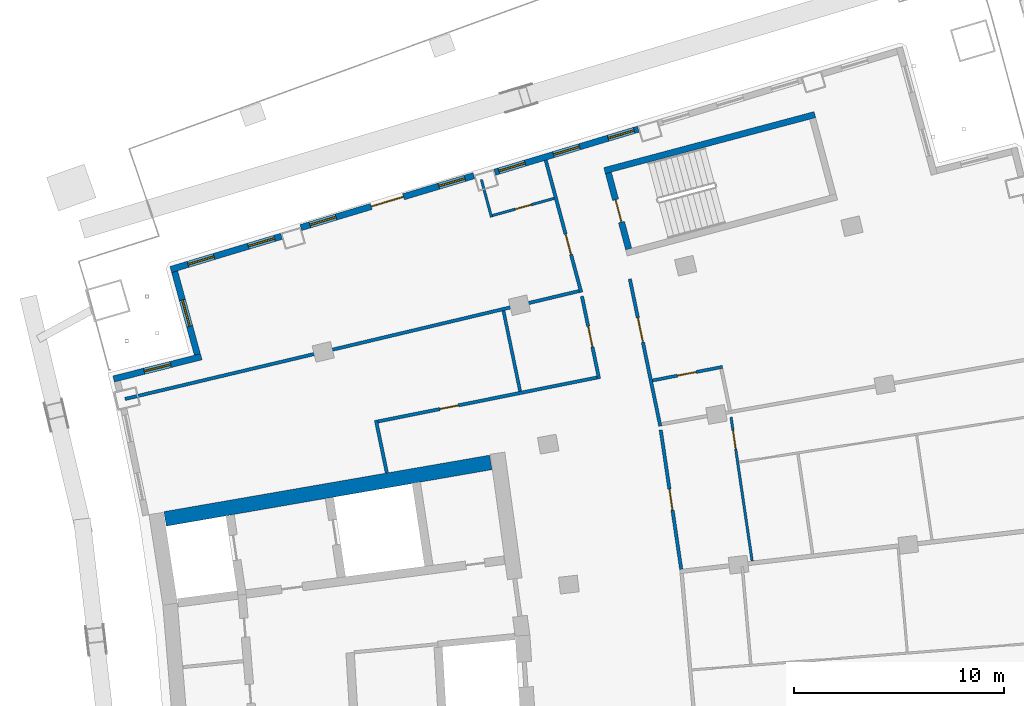
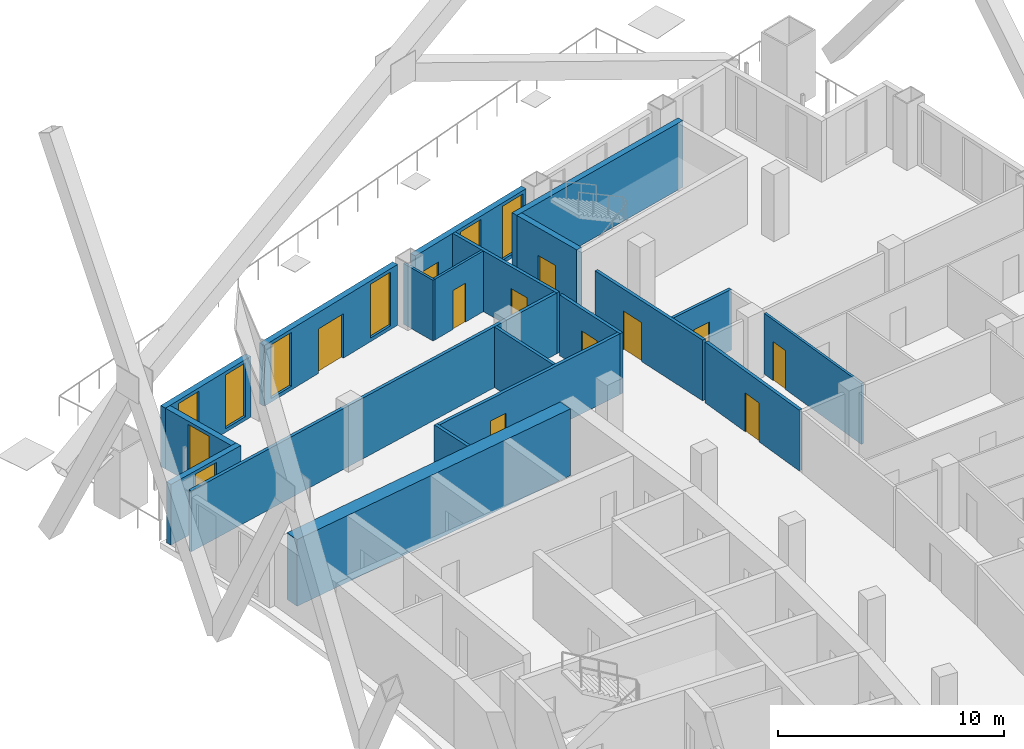
# One storey, part 15 of 20: 20 walls, 10 doors, 9 windows, 19 openings.
"""IFC4 building model written with IfcOpenShell, lengths in metres."""

from ifc_helpers import new_model, si_unit, direction, frame, frame_2d, origin, place, context, subcontext, project, spatial, rectangle, extrude, material, layer, layer_set, type_object, element, fill, save


model = new_model("IFC4")

# Units and contexts
model_context = context("Model", 3, precision=1e-05, world=origin(), true_north=direction((0.0, 1.0)))
body_context = subcontext(model_context, "Body", "Model", "MODEL_VIEW")
ifc_project = project(units=[si_unit("LENGTHUNIT", "METRE"), si_unit("AREAUNIT", "SQUARE_METRE"), si_unit("VOLUMEUNIT", "CUBIC_METRE"), si_unit("PLANEANGLEUNIT", "RADIAN"), si_unit("MASSUNIT", "GRAM", prefix="KILO")], contexts=[model_context])

# Site, building, storey
site_placement = place(None, origin())
site = spatial("IfcSite", under=ifc_project, at=site_placement, CompositionType="ELEMENT")
building_placement = place(site_placement, origin())
building = spatial("IfcBuilding", under=site, at=building_placement, Name="Alderwake Tower", CompositionType="ELEMENT")
storey_placement = place(building_placement, frame((0.0, 0.0, 138.800048828125)))
storey = spatial("IfcBuildingStorey", under=building, at=storey_placement, Name="L33", CompositionType="ELEMENT", Elevation=138.800048828125)

# Walls
ifc_material_1 = material(Name="Concrete C70/85", Category="concrete")
ifc_layer_1 = layer(ifc_material_1, 0.699951171875)
ifc_layer_set_1 = layer_set([ifc_layer_1], Name="Core wall outer 700 C70-85")
wall_type_1 = type_object("IfcWallType", Name="Core wall outer 700 C70-85", PredefinedType="SHEAR", material=ifc_layer_set_1)
wall_1_placement = place(storey_placement, frame((15.79443359375, 77.606689453125, 0.0), z_axis=(0.0, 0.0, 1.0), x_axis=(0.985301369349, 0.170825090542, 0.0)))
element("IfcWall", 1, at=wall_1_placement, inside=storey, type_object=wall_type_1, Name="Core wall CW.055", PredefinedType="SHEAR", context=body_context, shape_type="SweptSolid", body=[
    extrude(rectangle(XDim=15.732421875, YDim=0.699951171875, at=frame_2d((7.8662109375, 0.0))), origin(), (0.0, 0.0, 1.0), 3.599853515625),
])
ifc_material_2 = material(Name="Concrete C70/85", Category="concrete")
ifc_layer_2 = layer(ifc_material_2, 0.300048828125)
ifc_layer_set_2 = layer_set([ifc_layer_2], Name="Core wall stair enclosure 300 C70-85")
wall_type_2 = type_object("IfcWallType", Name="Core wall stair enclosure 300 C70-85", PredefinedType="SHEAR", material=ifc_layer_set_2)
wall_2_placement = place(storey_placement, frame((36.71142578125, 94.182373046875, 0.0), z_axis=(0.0, 0.0, 1.0), x_axis=(0.966309214305, 0.257383958996, 0.0)))
element("IfcWall", 2, at=wall_2_placement, inside=storey, type_object=wall_type_2, Name="Core wall CW.082", PredefinedType="SHEAR", context=body_context, shape_type="SweptSolid", body=[
    extrude(rectangle(XDim=10.360107421875, YDim=0.300048828125, at=frame_2d((5.18017578125, 0.0))), origin(), (0.0, 0.0, 1.0), 3.599853515625),
])

# Wall, opening, door
wall_3_placement = place(storey_placement, frame((37.8603515625, 90.452392578125, 0.0), z_axis=(0.0, 0.0, 1.0), x_axis=(-0.257411420208, 0.966301899381, 0.0)))
wall_3 = element("IfcWall", 3, at=wall_3_placement, inside=storey, type_object=wall_type_2, Name="Core wall CW.083", PredefinedType="SHEAR", context=body_context, shape_type="SweptSolid", body=[
    extrude(rectangle(XDim=3.750244140625, YDim=0.300048828125, at=frame_2d((1.875, 0.0))), origin(), (0.0, 0.0, 1.0), 3.599853515625),
])
opening_1_placement = place(wall_3_placement, frame((1.324951171875, 0.0, 0.0)))
opening_1 = element("IfcOpeningElement", 4, at=opening_1_placement, cuts=wall_3, Name="Opening C062", PredefinedType="OPENING", context=body_context, shape_type="SweptSolid", body=[
    extrude(rectangle(XDim=1.10009765625, YDim=2.10009765625, at=frame_2d((0.550048828125, 1.050048828125))), frame((0.0, 0.159912109375, 0.0), z_axis=(0.0, -1.0, 0.0), x_axis=(1.0, 0.0, 0.0)), (0.0, 0.0, 1.0), 0.320068359375),
])
ifc_material_3 = material(Name="Steel-framed fire door leaf", Category="steel")
door_type_1 = type_object("IfcDoorType", Name="Core stair door 1100 fire-rated", OperationType="SINGLE_SWING_LEFT", PredefinedType="DOOR", material=ifc_material_3)
door_1_placement = place(opening_1_placement, origin())
door_1 = element("IfcDoor", 5, at=door_1_placement, inside=storey, type_object=door_type_1, Name="Stair door", OperationType="SINGLE_SWING_RIGHT", OverallHeight=2.10009765625, OverallWidth=1.10009765625, PredefinedType="DOOR", context=body_context, shape_type="SweptSolid", body=[
    extrude(rectangle(XDim=1.10009765625, YDim=2.10009765625, at=frame_2d((0.550048828125, 1.050048828125))), frame((0.0, 0.02490234375, 0.0), z_axis=(0.0, -1.0, 0.0), x_axis=(1.0, 0.0, 0.0)), (0.0, 0.0, 1.0), 0.050048828125),
])
fill(opening_1, door_1)

# Wall
ifc_material_4 = material(Name="Gypsum board on metal studs, rated")
ifc_layer_3 = layer(ifc_material_4, 0.159912109375)
ifc_layer_set_3 = layer_set([ifc_layer_3], Name="Corridor wall 160")
wall_type_3 = type_object("IfcWallType", Name="Corridor wall 160", PredefinedType="PARTITIONING", material=ifc_layer_set_3)
wall_4_placement = place(storey_placement, frame((25.831787109375, 82.305419921875, 0.0), z_axis=(0.0, 0.0, 1.0), x_axis=(0.202450797205, -0.979292435747, 0.0)))
element("IfcWall", 6, at=wall_4_placement, inside=storey, type_object=wall_type_3, Name="WL/L33/W14", PredefinedType="PARTITIONING", context=body_context, shape_type="SweptSolid", body=[
    extrude(rectangle(XDim=2.555419921875, YDim=0.159912109375, at=frame_2d((1.27783203125, 0.0))), origin(), (0.0, 0.0, 1.0), 3.280029296875),
])

# Wall, opening, door
wall_5_placement = place(storey_placement, frame((35.600830078125, 88.392578125, 0.0), z_axis=(0.0, 0.0, 1.0), x_axis=(-0.259509260101, 0.965740619381, 0.0)))
wall_5 = element("IfcWall", 7, at=wall_5_placement, inside=storey, type_object=wall_type_3, Name="WL/L33/W15", PredefinedType="PARTITIONING", context=body_context, shape_type="SweptSolid", body=[
    extrude(rectangle(XDim=6.50732421875, YDim=0.159912109375, at=frame_2d((3.253662109375, 0.0))), origin(), (0.0, 0.0, 1.0), 3.280029296875),
])
opening_2_placement = place(wall_5_placement, frame((1.865478515625, 0.0, 0.0)))
opening_2 = element("IfcOpeningElement", 8, at=opening_2_placement, cuts=wall_5, Name="Opening R09-U09.1", PredefinedType="OPENING", context=body_context, shape_type="SweptSolid", body=[
    extrude(rectangle(XDim=1.0, YDim=2.10009765625, at=frame_2d((0.5, 1.050048828125))), frame((0.0, 0.08984375, 0.0), z_axis=(0.0, -1.0, 0.0), x_axis=(1.0, 0.0, 0.0)), (0.0, 0.0, 1.0), 0.179931640625),
])
ifc_material_5 = material(Name="Solid timber leaf in steel frame", Category="steel")
door_type_2 = type_object("IfcDoorType", Name="Flat entrance door 1000 fire-rated", OperationType="SINGLE_SWING_LEFT", PredefinedType="DOOR", material=ifc_material_5)
door_2_placement = place(opening_2_placement, origin())
door_2 = element("IfcDoor", 9, at=door_2_placement, inside=storey, type_object=door_type_2, Name="DR/L33/U09.1", OperationType="SINGLE_SWING_LEFT", OverallHeight=2.10009765625, OverallWidth=1.0, PredefinedType="DOOR", context=body_context, shape_type="SweptSolid", body=[
    extrude(rectangle(XDim=1.0, YDim=2.10009765625, at=frame_2d((0.5, 1.050048828125))), frame((0.0, 0.02490234375, 0.0), z_axis=(0.0, -1.0, 0.0), x_axis=(1.0, 0.0, 0.0)), (0.0, 0.0, 1.0), 0.050048828125),
])
fill(opening_2, door_2)

# Wall
wall_6_placement = place(storey_placement, frame((35.502197265625, 88.451416015625, 0.0), z_axis=(0.0, 0.0, 1.0), x_axis=(-0.972894913244, -0.231247676278, 0.0)))
element("IfcWall", 10, at=wall_6_placement, inside=storey, type_object=wall_type_3, Name="WL/L33/W17", PredefinedType="PARTITIONING", context=body_context, shape_type="SweptSolid", body=[
    extrude(rectangle(XDim=22.220458984375, YDim=0.159912109375, at=frame_2d((11.1103515625, 0.0))), origin(), (0.0, 0.0, 1.0), 3.280029296875),
])

# Wall, opening, door
wall_7_placement = place(storey_placement, frame((36.451416015625, 84.272705078125, 0.0), z_axis=(0.0, 0.0, 1.0), x_axis=(-0.203258199701, 0.979125172924, 0.0)))
wall_7 = element("IfcWall", 11, at=wall_7_placement, inside=storey, type_object=wall_type_3, Name="WL/L33/W18", PredefinedType="PARTITIONING", context=body_context, shape_type="SweptSolid", body=[
    extrude(rectangle(XDim=4.020263671875, YDim=0.159912109375, at=frame_2d((2.01025390625, 0.0))), origin(), (0.0, 0.0, 1.0), 3.280029296875),
])
opening_3_placement = place(wall_7_placement, frame((1.549560546875, 0.0, 0.0)))
opening_3 = element("IfcOpeningElement", 12, at=opening_3_placement, cuts=wall_7, Name="Opening R09-SBN2", PredefinedType="OPENING", context=body_context, shape_type="SweptSolid", body=[
    extrude(rectangle(XDim=1.0, YDim=2.10009765625, at=frame_2d((0.5, 1.050048828125))), frame((0.0, 0.08984375, 0.0), z_axis=(0.0, -1.0, 0.0), x_axis=(1.0, 0.0, 0.0)), (0.0, 0.0, 1.0), 0.179931640625),
])
ifc_material_6 = material(Name="Steel-framed fire door leaf", Category="steel")
door_type_3 = type_object("IfcDoorType", Name="Plant room door 1000 fire-rated", OperationType="SINGLE_SWING_LEFT", PredefinedType="DOOR", material=ifc_material_6)
door_3_placement = place(opening_3_placement, origin())
door_3 = element("IfcDoor", 13, at=door_3_placement, inside=storey, type_object=door_type_3, Name="DR/L33/SBN2", OperationType="SINGLE_SWING_LEFT", OverallHeight=2.10009765625, OverallWidth=1.0, PredefinedType="DOOR", context=body_context, shape_type="SweptSolid", body=[
    extrude(rectangle(XDim=1.0, YDim=2.10009765625, at=frame_2d((0.5, 1.050048828125))), frame((0.0, 0.02490234375, 0.0), z_axis=(0.0, -1.0, 0.0), x_axis=(1.0, 0.0, 0.0)), (0.0, 0.0, 1.0), 0.050048828125),
])
fill(opening_3, door_3)

wall_8_placement = place(storey_placement, frame((25.926513671875, 82.24267578125, 0.0), z_axis=(0.0, 0.0, 1.0), x_axis=(0.98046310274, 0.196703086316, 0.0)))
wall_8 = element("IfcWall", 14, at=wall_8_placement, inside=storey, type_object=wall_type_3, Name="WL/L33/W20", PredefinedType="PARTITIONING", context=body_context, shape_type="SweptSolid", body=[
    extrude(rectangle(XDim=10.637939453125, YDim=0.159912109375, at=frame_2d((5.31884765625, 0.0))), origin(), (0.0, 0.0, 1.0), 3.280029296875),
])
opening_4_placement = place(wall_8_placement, frame((3.009033203125, 0.0, 0.0)))
opening_4 = element("IfcOpeningElement", 15, at=opening_4_placement, cuts=wall_8, Name="Opening R09-SBN1", PredefinedType="OPENING", context=body_context, shape_type="SweptSolid", body=[
    extrude(rectangle(XDim=0.89990234375, YDim=2.10009765625, at=frame_2d((0.449951171875, 1.050048828125))), frame((0.0, 0.08984375, 0.0), z_axis=(0.0, -1.0, 0.0), x_axis=(1.0, 0.0, 0.0)), (0.0, 0.0, 1.0), 0.179931640625),
])
ifc_material_7 = material(Name="Painted timber leaf", Category="wood")
door_type_4 = type_object("IfcDoorType", Name="Room door 900", OperationType="SINGLE_SWING_LEFT", PredefinedType="DOOR", material=ifc_material_7)
door_4_placement = place(opening_4_placement, origin())
door_4 = element("IfcDoor", 16, at=door_4_placement, inside=storey, type_object=door_type_4, Name="DR/L33/SBN1", OperationType="SINGLE_SWING_LEFT", OverallHeight=2.10009765625, OverallWidth=0.89990234375, PredefinedType="DOOR", context=body_context, shape_type="SweptSolid", body=[
    extrude(rectangle(XDim=0.89990234375, YDim=2.10009765625, at=frame_2d((0.449951171875, 1.050048828125))), frame((0.0, 0.02490234375, 0.0), z_axis=(0.0, -1.0, 0.0), x_axis=(1.0, 0.0, 0.0)), (0.0, 0.0, 1.0), 0.050048828125),
])
fill(opening_4, door_4)

wall_9_placement = place(storey_placement, frame((37.9169921875, 89.02490234375, 0.0), z_axis=(0.0, 0.0, 1.0), x_axis=(0.202409142021, -0.979301046271, 0.0)))
wall_9 = element("IfcWall", 17, at=wall_9_placement, inside=storey, type_object=wall_type_3, Name="WL/L33/W23", PredefinedType="PARTITIONING", context=body_context, shape_type="SweptSolid", body=[
    extrude(rectangle(XDim=7.150146484375, YDim=0.159912109375, at=frame_2d((3.5751953125, 0.0))), origin(), (0.0, 0.0, 1.0), 3.280029296875),
])
opening_5_placement = place(wall_9_placement, frame((1.874755859375, 0.0, 0.0)))
opening_5 = element("IfcOpeningElement", 18, at=opening_5_placement, cuts=wall_9, Name="Opening R09-AM1.1", PredefinedType="OPENING", context=body_context, shape_type="SweptSolid", body=[
    extrude(rectangle(XDim=1.199951171875, YDim=2.10009765625, at=frame_2d((0.60009765625, 1.050048828125))), frame((0.0, 0.08984375, 0.0), z_axis=(0.0, -1.0, 0.0), x_axis=(1.0, 0.0, 0.0)), (0.0, 0.0, 1.0), 0.179931640625),
])
ifc_material_8 = material(Name="Steel-framed fire door leaf", Category="steel")
door_type_5 = type_object("IfcDoorType", Name="Lobby door 1200 fire-rated", OperationType="SINGLE_SWING_LEFT", PredefinedType="DOOR", material=ifc_material_8)
door_5_placement = place(opening_5_placement, origin())
door_5 = element("IfcDoor", 19, at=door_5_placement, inside=storey, type_object=door_type_5, Name="DR/L33/AM1.1", OperationType="SINGLE_SWING_LEFT", OverallHeight=2.10009765625, OverallWidth=1.199951171875, PredefinedType="DOOR", context=body_context, shape_type="SweptSolid", body=[
    extrude(rectangle(XDim=1.199951171875, YDim=2.10009765625, at=frame_2d((0.60009765625, 1.050048828125))), frame((0.0, 0.02490234375, 0.0), z_axis=(0.0, -1.0, 0.0), x_axis=(1.0, 0.0, 0.0)), (0.0, 0.0, 1.0), 0.050048828125),
])
fill(opening_5, door_5)

wall_10_placement = place(storey_placement, frame((39.38671875, 81.837158203125, 0.0), z_axis=(0.0, 0.0, 1.0), x_axis=(0.145576845789, -0.989346947218, 0.0)))
wall_10 = element("IfcWall", 20, at=wall_10_placement, inside=storey, type_object=wall_type_3, Name="WL/L33/W25", PredefinedType="PARTITIONING", context=body_context, shape_type="SweptSolid", body=[
    extrude(rectangle(XDim=6.701416015625, YDim=0.159912109375, at=frame_2d((3.3505859375, 0.0))), origin(), (0.0, 0.0, 1.0), 3.280029296875),
])
opening_6_placement = place(wall_10_placement, frame((2.850830078125, 0.0, 0.0)))
opening_6 = element("IfcOpeningElement", 21, at=opening_6_placement, cuts=wall_10, Name="Opening R09-U07.2", PredefinedType="OPENING", context=body_context, shape_type="SweptSolid", body=[
    extrude(rectangle(XDim=1.0, YDim=2.10009765625, at=frame_2d((0.5, 1.050048828125))), frame((0.0, 0.08984375, 0.0), z_axis=(0.0, -1.0, 0.0), x_axis=(1.0, 0.0, 0.0)), (0.0, 0.0, 1.0), 0.179931640625),
])
door_6_placement = place(opening_6_placement, origin())
door_6 = element("IfcDoor", 22, at=door_6_placement, inside=storey, type_object=door_type_2, Name="DR/L33/U07.2", OperationType="SINGLE_SWING_LEFT", OverallHeight=2.10009765625, OverallWidth=1.0, PredefinedType="DOOR", context=body_context, shape_type="SweptSolid", body=[
    extrude(rectangle(XDim=1.0, YDim=2.10009765625, at=frame_2d((0.5, 1.050048828125))), frame((0.0, 0.02490234375, 0.0), z_axis=(0.0, -1.0, 0.0), x_axis=(1.0, 0.0, 0.0)), (0.0, 0.0, 1.0), 0.050048828125),
])
fill(opening_6, door_6)

# Wall, openings, windows
ifc_material_9 = material(Name="Bronze metal cladding on lightweight framing")
ifc_layer_4 = layer(ifc_material_9, 0.300048828125)
ifc_layer_set_4 = layer_set([ifc_layer_4], Name="External wall EW2 bronze metal cladding")
wall_type_4 = type_object("IfcWallType", Name="External wall EW2 bronze metal cladding", PredefinedType="SOLIDWALL", material=ifc_layer_set_4)
wall_11_placement = place(storey_placement, frame((38.317626953125, 96.156982421875, 0.0), z_axis=(0.0, 0.0, 1.0), x_axis=(-0.957766887781, -0.287545802735, 0.0)))
wall_11 = element("IfcWall", 23, at=wall_11_placement, inside=storey, type_object=wall_type_4, Name="External wall 25", PredefinedType="SOLIDWALL", context=body_context, shape_type="SweptSolid", body=[
    extrude(rectangle(XDim=7.12939453125, YDim=0.300048828125, at=frame_2d((3.564697265625, 0.0))), origin(), (0.0, 0.0, 1.0), 3.280029296875),
])
opening_7_placement = place(wall_11_placement, frame((0.20361328125, 0.0, 0.199951171875)))
opening_7 = element("IfcOpeningElement", 24, at=opening_7_placement, cuts=wall_11, Name="Opening W1", PredefinedType="OPENING", context=body_context, shape_type="SweptSolid", body=[
    extrude(rectangle(XDim=1.300048828125, YDim=2.89990234375, at=frame_2d((0.64990234375, 1.449951171875))), frame((0.0, 0.159912109375, 0.0), z_axis=(0.0, -1.0, 0.0), x_axis=(1.0, 0.0, 0.0)), (0.0, 0.0, 1.0), 0.320068359375),
])
opening_8_placement = place(wall_11_placement, frame((2.914794921875, 0.0, 0.199951171875)))
opening_8 = element("IfcOpeningElement", 25, at=opening_8_placement, cuts=wall_11, Name="Opening W1", PredefinedType="OPENING", context=body_context, shape_type="SweptSolid", body=[
    extrude(rectangle(XDim=1.300048828125, YDim=2.89990234375, at=frame_2d((0.64990234375, 1.449951171875))), frame((0.0, 0.159912109375, 0.0), z_axis=(0.0, -1.0, 0.0), x_axis=(1.0, 0.0, 0.0)), (0.0, 0.0, 1.0), 0.320068359375),
])
opening_9_placement = place(wall_11_placement, frame((5.6259765625, 0.0, 1.0)))
opening_9 = element("IfcOpeningElement", 26, at=opening_9_placement, cuts=wall_11, Name="Opening W2", PredefinedType="OPENING", context=body_context, shape_type="SweptSolid", body=[
    extrude(rectangle(XDim=1.300048828125, YDim=1.199951171875, at=frame_2d((0.64990234375, 0.60009765625))), frame((0.0, 0.159912109375, 0.0), z_axis=(0.0, -1.0, 0.0), x_axis=(1.0, 0.0, 0.0)), (0.0, 0.0, 1.0), 0.320068359375),
])
ifc_material_10 = material(Name="Bronze tinted glass in aluminium frame", Category="aluminium")
window_type_1 = type_object("IfcWindowType", Name="Window W1 tall fixed and vent", PartitioningType="DOUBLE_PANEL_VERTICAL", PredefinedType="WINDOW", material=ifc_material_10)
window_1_placement = place(opening_7_placement, origin())
window_1 = element("IfcWindow", 27, at=window_1_placement, inside=storey, type_object=window_type_1, Name="Window W1 tall fixed and vent", OverallHeight=2.89990234375, OverallWidth=1.300048828125, PartitioningType="DOUBLE_PANEL_VERTICAL", PredefinedType="WINDOW", context=body_context, shape_type="SweptSolid", body=[
    extrude(rectangle(XDim=1.300048828125, YDim=2.89990234375, at=frame_2d((0.64990234375, 1.449951171875))), frame((0.0, 0.030029296875, 0.0), z_axis=(0.0, -1.0, 0.0), x_axis=(1.0, 0.0, 0.0)), (0.0, 0.0, 1.0), 0.06005859375),
])
fill(opening_7, window_1)
window_2_placement = place(opening_8_placement, origin())
window_2 = element("IfcWindow", 28, at=window_2_placement, inside=storey, type_object=window_type_1, Name="Window W1 tall fixed and vent", OverallHeight=2.89990234375, OverallWidth=1.300048828125, PartitioningType="DOUBLE_PANEL_VERTICAL", PredefinedType="WINDOW", context=body_context, shape_type="SweptSolid", body=[
    extrude(rectangle(XDim=1.300048828125, YDim=2.89990234375, at=frame_2d((0.64990234375, 1.449951171875))), frame((0.0, 0.030029296875, 0.0), z_axis=(0.0, -1.0, 0.0), x_axis=(1.0, 0.0, 0.0)), (0.0, 0.0, 1.0), 0.06005859375),
])
fill(opening_8, window_2)
ifc_material_11 = material(Name="Bronze tinted glass in aluminium frame", Category="aluminium")
window_type_2 = type_object("IfcWindowType", Name="Window W2 kitchen and bath", PartitioningType="SINGLE_PANEL", PredefinedType="WINDOW", material=ifc_material_11)
window_3_placement = place(opening_9_placement, origin())
window_3 = element("IfcWindow", 29, at=window_3_placement, inside=storey, type_object=window_type_2, Name="Window W2 kitchen and bath", OverallHeight=1.199951171875, OverallWidth=1.300048828125, PartitioningType="SINGLE_PANEL", PredefinedType="WINDOW", context=body_context, shape_type="SweptSolid", body=[
    extrude(rectangle(XDim=1.300048828125, YDim=1.199951171875, at=frame_2d((0.64990234375, 0.60009765625))), frame((0.0, 0.030029296875, 0.0), z_axis=(0.0, -1.0, 0.0), x_axis=(1.0, 0.0, 0.0)), (0.0, 0.0, 1.0), 0.06005859375),
])
fill(opening_9, window_3)

# Wall, openings, door, windows
wall_12_placement = place(storey_placement, frame((30.490234375, 93.942626953125, 0.0), z_axis=(0.0, 0.0, 1.0), x_axis=(-0.957768419769, -0.287540699891, 0.0)))
wall_12 = element("IfcWall", 30, at=wall_12_placement, inside=storey, type_object=wall_type_4, Name="External wall 26", PredefinedType="SOLIDWALL", context=body_context, shape_type="SweptSolid", body=[
    extrude(rectangle(XDim=8.595947265625, YDim=0.300048828125, at=frame_2d((4.2978515625, 0.0))), origin(), (0.0, 0.0, 1.0), 3.280029296875),
])
opening_10_placement = place(wall_12_placement, frame((0.447998046875, 0.0, 0.199951171875)))
opening_10 = element("IfcOpeningElement", 31, at=opening_10_placement, cuts=wall_12, Name="Opening W1", PredefinedType="OPENING", context=body_context, shape_type="SweptSolid", body=[
    extrude(rectangle(XDim=1.300048828125, YDim=2.89990234375, at=frame_2d((0.64990234375, 1.449951171875))), frame((0.0, 0.159912109375, 0.0), z_axis=(0.0, -1.0, 0.0), x_axis=(1.0, 0.0, 0.0)), (0.0, 0.0, 1.0), 0.320068359375),
])
opening_11_placement = place(wall_12_placement, frame((3.498046875, 0.0, 0.0)))
opening_11 = element("IfcOpeningElement", 32, at=opening_11_placement, cuts=wall_12, Name="Opening D09", PredefinedType="OPENING", context=body_context, shape_type="SweptSolid", body=[
    extrude(rectangle(XDim=1.60009765625, YDim=2.39990234375, at=frame_2d((0.800048828125, 1.199951171875))), frame((0.0, 0.159912109375, 0.0), z_axis=(0.0, -1.0, 0.0), x_axis=(1.0, 0.0, 0.0)), (0.0, 0.0, 1.0), 0.320068359375),
])
opening_12_placement = place(wall_12_placement, frame((6.84814453125, 0.0, 0.199951171875)))
opening_12 = element("IfcOpeningElement", 33, at=opening_12_placement, cuts=wall_12, Name="Opening W1", PredefinedType="OPENING", context=body_context, shape_type="SweptSolid", body=[
    extrude(rectangle(XDim=1.300048828125, YDim=2.89990234375, at=frame_2d((0.64990234375, 1.449951171875))), frame((0.0, 0.159912109375, 0.0), z_axis=(0.0, -1.0, 0.0), x_axis=(1.0, 0.0, 0.0)), (0.0, 0.0, 1.0), 0.320068359375),
])
ifc_material_12 = material(Name="Bronze tinted glass in aluminium frame", Category="aluminium")
door_type_6 = type_object("IfcDoorType", Name="Terrace door TD sliding", OperationType="SLIDING_TO_LEFT", PredefinedType="DOOR", material=ifc_material_12)
door_7_placement = place(opening_11_placement, origin())
door_7 = element("IfcDoor", 34, at=door_7_placement, inside=storey, type_object=door_type_6, Name="Door D09", OperationType="SLIDING_TO_LEFT", OverallHeight=2.39990234375, OverallWidth=1.60009765625, PredefinedType="DOOR", context=body_context, shape_type="SweptSolid", body=[
    extrude(rectangle(XDim=1.60009765625, YDim=2.39990234375, at=frame_2d((0.800048828125, 1.199951171875))), frame((0.0, 0.02490234375, 0.0), z_axis=(0.0, -1.0, 0.0), x_axis=(1.0, 0.0, 0.0)), (0.0, 0.0, 1.0), 0.050048828125),
])
fill(opening_11, door_7)
window_4_placement = place(opening_10_placement, origin())
window_4 = element("IfcWindow", 35, at=window_4_placement, inside=storey, type_object=window_type_1, Name="Window W1 tall fixed and vent", OverallHeight=2.89990234375, OverallWidth=1.300048828125, PartitioningType="DOUBLE_PANEL_VERTICAL", PredefinedType="WINDOW", context=body_context, shape_type="SweptSolid", body=[
    extrude(rectangle(XDim=1.300048828125, YDim=2.89990234375, at=frame_2d((0.64990234375, 1.449951171875))), frame((0.0, 0.030029296875, 0.0), z_axis=(0.0, -1.0, 0.0), x_axis=(1.0, 0.0, 0.0)), (0.0, 0.0, 1.0), 0.06005859375),
])
fill(opening_10, window_4)
window_5_placement = place(opening_12_placement, origin())
window_5 = element("IfcWindow", 36, at=window_5_placement, inside=storey, type_object=window_type_1, Name="Window W1 tall fixed and vent", OverallHeight=2.89990234375, OverallWidth=1.300048828125, PartitioningType="DOUBLE_PANEL_VERTICAL", PredefinedType="WINDOW", context=body_context, shape_type="SweptSolid", body=[
    extrude(rectangle(XDim=1.300048828125, YDim=2.89990234375, at=frame_2d((0.64990234375, 1.449951171875))), frame((0.0, 0.030029296875, 0.0), z_axis=(0.0, -1.0, 0.0), x_axis=(1.0, 0.0, 0.0)), (0.0, 0.0, 1.0), 0.06005859375),
])
fill(opening_12, window_5)

# Wall, openings, windows
wall_13_placement = place(storey_placement, frame((21.332763671875, 91.0576171875, 0.0), z_axis=(0.0, 0.0, 1.0), x_axis=(-0.957767615614, -0.287543378434, 0.0)))
wall_13 = element("IfcWall", 37, at=wall_13_placement, inside=storey, type_object=wall_type_4, Name="External wall 27", PredefinedType="SOLIDWALL", context=body_context, shape_type="SweptSolid", body=[
    extrude(rectangle(XDim=5.499267578125, YDim=0.300048828125, at=frame_2d((2.74951171875, 0.0))), origin(), (0.0, 0.0, 1.0), 3.280029296875),
])
opening_13_placement = place(wall_13_placement, frame((0.34814453125, 0.0, 0.199951171875)))
opening_13 = element("IfcOpeningElement", 38, at=opening_13_placement, cuts=wall_13, Name="Opening W1", PredefinedType="OPENING", context=body_context, shape_type="SweptSolid", body=[
    extrude(rectangle(XDim=1.300048828125, YDim=2.89990234375, at=frame_2d((0.64990234375, 1.449951171875))), frame((0.0, 0.159912109375, 0.0), z_axis=(0.0, -1.0, 0.0), x_axis=(1.0, 0.0, 0.0)), (0.0, 0.0, 1.0), 0.320068359375),
])
opening_14_placement = place(wall_13_placement, frame((3.34912109375, 0.0, 0.199951171875)))
opening_14 = element("IfcOpeningElement", 39, at=opening_14_placement, cuts=wall_13, Name="Opening W1", PredefinedType="OPENING", context=body_context, shape_type="SweptSolid", body=[
    extrude(rectangle(XDim=1.300048828125, YDim=2.89990234375, at=frame_2d((0.64990234375, 1.449951171875))), frame((0.0, 0.159912109375, 0.0), z_axis=(0.0, -1.0, 0.0), x_axis=(1.0, 0.0, 0.0)), (0.0, 0.0, 1.0), 0.320068359375),
])
window_6_placement = place(opening_13_placement, origin())
window_6 = element("IfcWindow", 40, at=window_6_placement, inside=storey, type_object=window_type_1, Name="Window W1 tall fixed and vent", OverallHeight=2.89990234375, OverallWidth=1.300048828125, PartitioningType="DOUBLE_PANEL_VERTICAL", PredefinedType="WINDOW", context=body_context, shape_type="SweptSolid", body=[
    extrude(rectangle(XDim=1.300048828125, YDim=2.89990234375, at=frame_2d((0.64990234375, 1.449951171875))), frame((0.0, 0.030029296875, 0.0), z_axis=(0.0, -1.0, 0.0), x_axis=(1.0, 0.0, 0.0)), (0.0, 0.0, 1.0), 0.06005859375),
])
fill(opening_13, window_6)
window_7_placement = place(opening_14_placement, origin())
window_7 = element("IfcWindow", 41, at=window_7_placement, inside=storey, type_object=window_type_1, Name="Window W1 tall fixed and vent", OverallHeight=2.89990234375, OverallWidth=1.300048828125, PartitioningType="DOUBLE_PANEL_VERTICAL", PredefinedType="WINDOW", context=body_context, shape_type="SweptSolid", body=[
    extrude(rectangle(XDim=1.300048828125, YDim=2.89990234375, at=frame_2d((0.64990234375, 1.449951171875))), frame((0.0, 0.030029296875, 0.0), z_axis=(0.0, -1.0, 0.0), x_axis=(1.0, 0.0, 0.0)), (0.0, 0.0, 1.0), 0.06005859375),
])
fill(opening_14, window_7)

# Wall, opening, window
wall_14_placement = place(storey_placement, frame((16.248779296875, 89.374755859375, 0.0), z_axis=(0.0, 0.0, 1.0), x_axis=(0.264607053468, -0.964356317579, 0.0)))
wall_14 = element("IfcWall", 42, at=wall_14_placement, inside=storey, type_object=wall_type_4, Name="External wall 28", PredefinedType="SOLIDWALL", context=body_context, shape_type="SweptSolid", body=[
    extrude(rectangle(XDim=4.090087890625, YDim=0.300048828125, at=frame_2d((2.044921875, 0.0))), origin(), (0.0, 0.0, 1.0), 3.280029296875),
])
opening_15_placement = place(wall_14_placement, frame((1.39501953125, 0.0, 0.199951171875)))
opening_15 = element("IfcOpeningElement", 43, at=opening_15_placement, cuts=wall_14, Name="Opening W1", PredefinedType="OPENING", context=body_context, shape_type="SweptSolid", body=[
    extrude(rectangle(XDim=1.300048828125, YDim=2.89990234375, at=frame_2d((0.64990234375, 1.449951171875))), frame((0.0, 0.159912109375, 0.0), z_axis=(0.0, -1.0, 0.0), x_axis=(1.0, 0.0, 0.0)), (0.0, 0.0, 1.0), 0.320068359375),
])
window_8_placement = place(opening_15_placement, origin())
window_8 = element("IfcWindow", 44, at=window_8_placement, inside=storey, type_object=window_type_1, Name="Window W1 tall fixed and vent", OverallHeight=2.89990234375, OverallWidth=1.300048828125, PartitioningType="DOUBLE_PANEL_VERTICAL", PredefinedType="WINDOW", context=body_context, shape_type="SweptSolid", body=[
    extrude(rectangle(XDim=1.300048828125, YDim=2.89990234375, at=frame_2d((0.64990234375, 1.449951171875))), frame((0.0, 0.030029296875, 0.0), z_axis=(0.0, -1.0, 0.0), x_axis=(1.0, 0.0, 0.0)), (0.0, 0.0, 1.0), 0.06005859375),
])
fill(opening_15, window_8)

wall_15_placement = place(storey_placement, frame((17.51611328125, 85.32275390625, 0.0), z_axis=(0.0, 0.0, 1.0), x_axis=(-0.969417740682, -0.245416470617, 0.0)))
wall_15 = element("IfcWall", 45, at=wall_15_placement, inside=storey, type_object=wall_type_4, Name="External wall 29", PredefinedType="SOLIDWALL", context=body_context, shape_type="SweptSolid", body=[
    extrude(rectangle(XDim=4.305419921875, YDim=0.300048828125, at=frame_2d((2.15283203125, 0.0))), origin(), (0.0, 0.0, 1.0), 3.280029296875),
])
opening_16_placement = place(wall_15_placement, frame((1.502685546875, 0.0, 0.199951171875)))
opening_16 = element("IfcOpeningElement", 46, at=opening_16_placement, cuts=wall_15, Name="Opening W1", PredefinedType="OPENING", context=body_context, shape_type="SweptSolid", body=[
    extrude(rectangle(XDim=1.300048828125, YDim=2.89990234375, at=frame_2d((0.64990234375, 1.449951171875))), frame((0.0, 0.159912109375, 0.0), z_axis=(0.0, -1.0, 0.0), x_axis=(1.0, 0.0, 0.0)), (0.0, 0.0, 1.0), 0.320068359375),
])
window_9_placement = place(opening_16_placement, origin())
window_9 = element("IfcWindow", 47, at=window_9_placement, inside=storey, type_object=window_type_1, Name="Window W1 tall fixed and vent", OverallHeight=2.89990234375, OverallWidth=1.300048828125, PartitioningType="DOUBLE_PANEL_VERTICAL", PredefinedType="WINDOW", context=body_context, shape_type="SweptSolid", body=[
    extrude(rectangle(XDim=1.300048828125, YDim=2.89990234375, at=frame_2d((0.64990234375, 1.449951171875))), frame((0.0, 0.030029296875, 0.0), z_axis=(0.0, -1.0, 0.0), x_axis=(1.0, 0.0, 0.0)), (0.0, 0.0, 1.0), 0.06005859375),
])
fill(opening_16, window_9)

# Wall
ifc_material_13 = material(Name="Gypsum shaft wall system, rated")
ifc_layer_5 = layer(ifc_material_13, 0.14990234375)
ifc_layer_set_5 = layer_set([ifc_layer_5], Name="Riser and shaft wall 150")
wall_type_5 = type_object("IfcWallType", Name="Riser and shaft wall 150", PredefinedType="PARTITIONING", material=ifc_layer_set_5)
wall_16_placement = place(storey_placement, frame((32.69287109375, 83.682373046875, 0.0), z_axis=(0.0, 0.0, 1.0), x_axis=(-0.20266545775, 0.979248034073, 0.0)))
element("IfcWall", 48, at=wall_16_placement, inside=storey, type_object=wall_type_5, Name="WL/L33/W08", PredefinedType="PARTITIONING", context=body_context, shape_type="SweptSolid", body=[
    extrude(rectangle(XDim=3.911376953125, YDim=0.14990234375, at=frame_2d((1.95556640625, 0.0))), origin(), (0.0, 0.0, 1.0), 3.280029296875),
])

# Wall, opening, door
wall_17_placement = place(storey_placement, frame((42.32861328125, 84.84228515625, 0.0), z_axis=(0.0, 0.0, 1.0), x_axis=(-0.981655808185, -0.190661674853, 0.0)))
wall_17 = element("IfcWall", 49, at=wall_17_placement, inside=storey, type_object=wall_type_5, Name="WL/L33/W09", PredefinedType="PARTITIONING", context=body_context, shape_type="SweptSolid", body=[
    extrude(rectangle(XDim=3.393310546875, YDim=0.14990234375, at=frame_2d((1.69677734375, 0.0))), origin(), (0.0, 0.0, 1.0), 3.280029296875),
])
opening_17_placement = place(wall_17_placement, frame((1.2841796875, 0.0, 0.0)))
opening_17 = element("IfcOpeningElement", 50, at=opening_17_placement, cuts=wall_17, Name="Opening R09-AM1.2", PredefinedType="OPENING", context=body_context, shape_type="SweptSolid", body=[
    extrude(rectangle(XDim=0.89990234375, YDim=2.10009765625, at=frame_2d((0.449951171875, 1.050048828125))), frame((0.0, 0.0849609375, 0.0), z_axis=(0.0, -1.0, 0.0), x_axis=(1.0, 0.0, 0.0)), (0.0, 0.0, 1.0), 0.169921875),
])
door_8_placement = place(opening_17_placement, origin())
door_8 = element("IfcDoor", 51, at=door_8_placement, inside=storey, type_object=door_type_4, Name="DR/L33/AM1.2", OperationType="SINGLE_SWING_LEFT", OverallHeight=2.10009765625, OverallWidth=0.89990234375, PredefinedType="DOOR", context=body_context, shape_type="SweptSolid", body=[
    extrude(rectangle(XDim=0.89990234375, YDim=2.10009765625, at=frame_2d((0.449951171875, 1.050048828125))), frame((0.0, 0.02490234375, 0.0), z_axis=(0.0, -1.0, 0.0), x_axis=(1.0, 0.0, 0.0)), (0.0, 0.0, 1.0), 0.050048828125),
])
fill(opening_17, door_8)

# Wall
ifc_material_14 = material(Name="Moisture resistant gypsum board on metal studs")
ifc_layer_6 = layer(ifc_material_14, 0.1201171875)
ifc_layer_set_6 = layer_set([ifc_layer_6], Name="Wet room partition 120")
wall_type_6 = type_object("IfcWallType", Name="Wet room partition 120", PredefinedType="PARTITIONING", material=ifc_layer_set_6)
wall_18_placement = place(storey_placement, frame((30.84912109375, 93.759033203125, 0.0), z_axis=(0.0, 0.0, 1.0), x_axis=(0.259401464702, -0.965769579201, 0.0)))
element("IfcWall", 52, at=wall_18_placement, inside=storey, type_object=wall_type_6, Name="WL/L33/W30", PredefinedType="PARTITIONING", context=body_context, shape_type="SweptSolid", body=[
    extrude(rectangle(XDim=1.852294921875, YDim=0.1201171875, at=frame_2d((0.92626953125, 0.0))), origin(), (0.0, 0.0, 1.0), 3.280029296875),
])

# Wall, opening, door
wall_19_placement = place(storey_placement, frame((31.371826171875, 92.044189453125, 0.0), z_axis=(0.0, 0.0, 1.0), x_axis=(0.963351881246, 0.268240848677, 0.0)))
wall_19 = element("IfcWall", 53, at=wall_19_placement, inside=storey, type_object=wall_type_6, Name="WL/L33/W31", PredefinedType="PARTITIONING", context=body_context, shape_type="SweptSolid", body=[
    extrude(rectangle(XDim=3.05810546875, YDim=0.1201171875, at=frame_2d((1.529052734375, 0.0))), origin(), (0.0, 0.0, 1.0), 3.280029296875),
])
opening_18_placement = place(wall_19_placement, frame((1.129150390625, 0.0, 0.0)))
opening_18 = element("IfcOpeningElement", 54, at=opening_18_placement, cuts=wall_19, Name="Opening R09-U09.2", PredefinedType="OPENING", context=body_context, shape_type="SweptSolid", body=[
    extrude(rectangle(XDim=0.800048828125, YDim=2.10009765625, at=frame_2d((0.39990234375, 1.050048828125))), frame((0.0, 0.070068359375, 0.0), z_axis=(0.0, -1.0, 0.0), x_axis=(1.0, 0.0, 0.0)), (0.0, 0.0, 1.0), 0.14013671875),
])
ifc_material_15 = material(Name="Painted timber leaf", Category="wood")
door_type_7 = type_object("IfcDoorType", Name="Bathroom door 800", OperationType="SINGLE_SWING_LEFT", PredefinedType="DOOR", material=ifc_material_15)
door_9_placement = place(opening_18_placement, origin())
door_9 = element("IfcDoor", 55, at=door_9_placement, inside=storey, type_object=door_type_7, Name="DR/L33/U09.2", OperationType="SINGLE_SWING_LEFT", OverallHeight=2.10009765625, OverallWidth=0.800048828125, PredefinedType="DOOR", context=body_context, shape_type="SweptSolid", body=[
    extrude(rectangle(XDim=0.800048828125, YDim=2.10009765625, at=frame_2d((0.39990234375, 1.050048828125))), frame((0.0, 0.02490234375, 0.0), z_axis=(0.0, -1.0, 0.0), x_axis=(1.0, 0.0, 0.0)), (0.0, 0.0, 1.0), 0.050048828125),
])
fill(opening_18, door_9)

wall_20_placement = place(storey_placement, frame((42.732421875, 82.44775390625, 0.0), z_axis=(0.0, 0.0, 1.0), x_axis=(0.14528876176, -0.989389294316, 0.0)))
wall_20 = element("IfcWall", 56, at=wall_20_placement, inside=storey, type_object=wall_type_6, Name="WL/L33/W37", PredefinedType="PARTITIONING", context=body_context, shape_type="SweptSolid", body=[
    extrude(rectangle(XDim=6.918212890625, YDim=0.1201171875, at=frame_2d((3.458984375, 0.0))), origin(), (0.0, 0.0, 1.0), 3.280029296875),
])
opening_19_placement = place(wall_20_placement, frame((0.63671875, 0.0, 0.0)))
opening_19 = element("IfcOpeningElement", 57, at=opening_19_placement, cuts=wall_20, Name="Opening R09-U07.3", PredefinedType="OPENING", context=body_context, shape_type="SweptSolid", body=[
    extrude(rectangle(XDim=0.89990234375, YDim=2.10009765625, at=frame_2d((0.449951171875, 1.050048828125))), frame((0.0, 0.070068359375, 0.0), z_axis=(0.0, -1.0, 0.0), x_axis=(1.0, 0.0, 0.0)), (0.0, 0.0, 1.0), 0.14013671875),
])
door_10_placement = place(opening_19_placement, origin())
door_10 = element("IfcDoor", 58, at=door_10_placement, inside=storey, type_object=door_type_4, Name="DR/L33/U07.3", OperationType="SINGLE_SWING_LEFT", OverallHeight=2.10009765625, OverallWidth=0.89990234375, PredefinedType="DOOR", context=body_context, shape_type="SweptSolid", body=[
    extrude(rectangle(XDim=0.89990234375, YDim=2.10009765625, at=frame_2d((0.449951171875, 1.050048828125))), frame((0.0, 0.02490234375, 0.0), z_axis=(0.0, -1.0, 0.0), x_axis=(1.0, 0.0, 0.0)), (0.0, 0.0, 1.0), 0.050048828125),
])
fill(opening_19, door_10)

save(model, "model.ifc")
